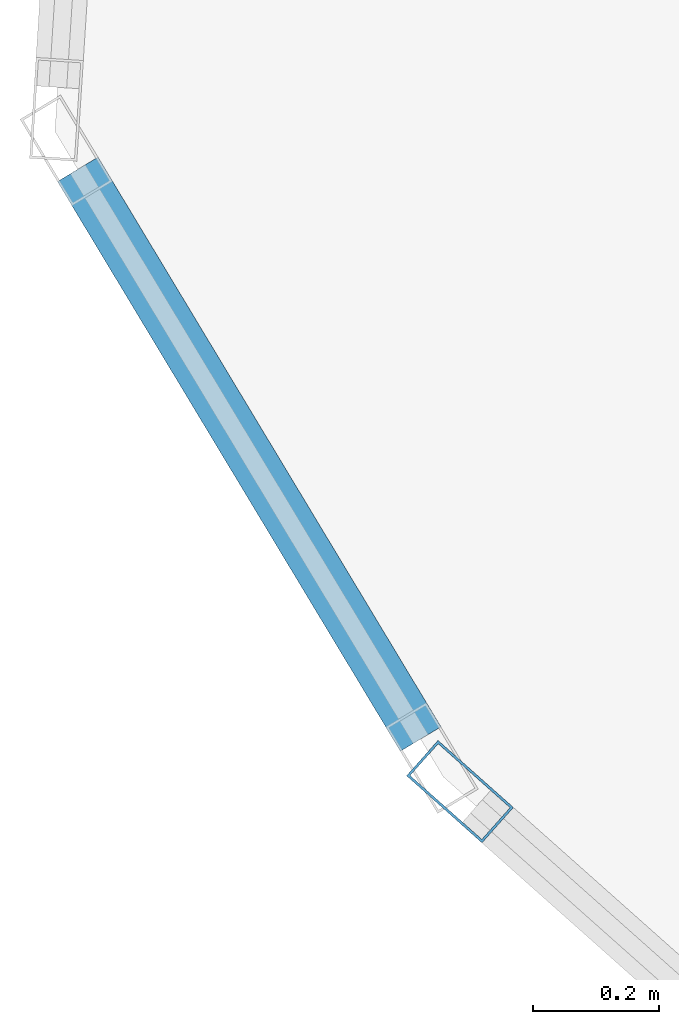
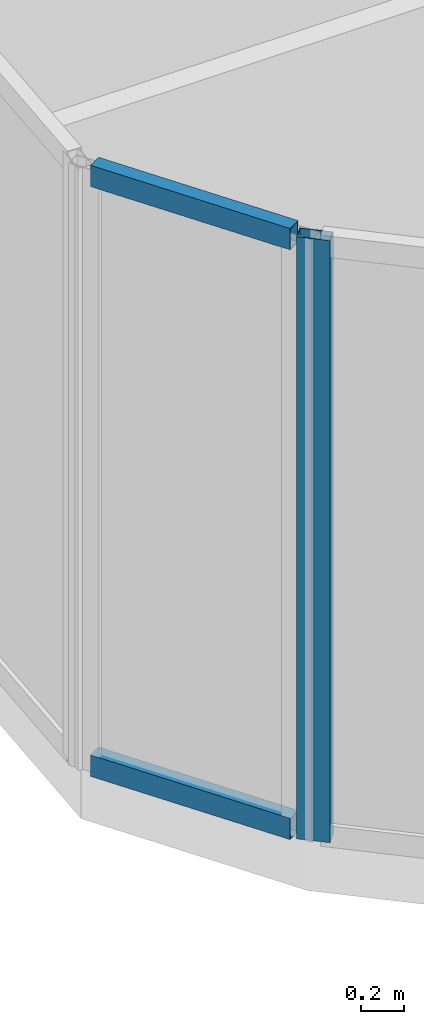
# One storey, part 4 of 30: 3 members, 2 elements without a shape of their own.
"""IFC4 building model written with IfcOpenShell, lengths in metres."""

from ifc_helpers import new_model, si_unit, direction, frame, origin, origin_2d, place, context, subcontext, project, spatial, hollow_rectangle, extrude, material, layer, layer_set, material_profile, profile_set, type_object, element, aggregate, save


model = new_model("IFC4")

# Units and contexts
model_context = context("Model", 3, precision=1e-05, world=origin(), true_north=direction((0.0, 1.0)))
body_context = subcontext(model_context, "Body", "Model", "MODEL_VIEW")
ifc_project = project(units=[si_unit("LENGTHUNIT", "METRE"), si_unit("AREAUNIT", "SQUARE_METRE"), si_unit("VOLUMEUNIT", "CUBIC_METRE"), si_unit("PLANEANGLEUNIT", "RADIAN"), si_unit("MASSUNIT", "GRAM", prefix="KILO")], contexts=[model_context])

# Site, building, storey
site_placement = place(None, origin())
site = spatial("IfcSite", under=ifc_project, at=site_placement, CompositionType="ELEMENT")
building_placement = place(site_placement, origin())
building = spatial("IfcBuilding", under=site, at=building_placement, Name="Keshet Zoharim Tower", CompositionType="ELEMENT")
storey_placement = place(building_placement, frame((0.0, 0.0, 280.60009765625)))
storey = spatial("IfcBuildingStorey", under=building, at=storey_placement, Name="L70", CompositionType="ELEMENT", Elevation=280.60009765625)

# Curtain wall, member
ifc_material = material(Name="Aluminium 6063-T6", Category="aluminium")
ifc_layer = layer(ifc_material, 0.260009765625)
ifc_layer_set = layer_set([ifc_layer], Name="Aluminium 6063-T6")
curtain_wall_type = type_object("IfcCurtainWallType", Name="CW-SYS-06", PredefinedType="NOTDEFINED", material=ifc_layer_set)
curtain_wall_1_placement = place(storey_placement, origin())
curtain_wall_1 = element("IfcCurtainWall", 1, at=curtain_wall_1_placement, inside=storey, type_object=curtain_wall_type, Name="L70 Unitised Curtain Wall 16 Part 4", PredefinedType="NOTDEFINED")
ifc_material_profile_1 = material_profile(ifc_material, hollow_rectangle(XDim=0.074951171875, YDim=0.159912109375, WallThickness=0.00390625, at=origin_2d()), Name="MUL-75x160")
ifc_profile_set_1 = profile_set([ifc_material_profile_1], Name="Aluminium 6063-T6")
member_type_1 = type_object("IfcMemberType", Name="CWM-M15", PredefinedType="MULLION", material=ifc_profile_set_1)
member_1_placement = place(storey_placement, frame((4.061279296875, 21.7568359375, 0.0), z_axis=(0.0, 0.0, 1.0), x_axis=(-0.664363838836, -0.747409318679, 0.0)))
member_1 = element("IfcMember", 2, at=member_1_placement, type_object=member_type_1, Name="CW-06 mullion 2", PredefinedType="MULLION", context=body_context, shape_type="SweptSolid", body=[
    extrude(hollow_rectangle(XDim=0.074951171875, YDim=0.159912109375, WallThickness=0.00390625, at=origin_2d()), origin(), (0.0, 0.0, 1.0), 3.389892578125),
])
aggregate(curtain_wall_1, [member_1])

# Curtain wall, members
curtain_wall_2_placement = place(storey_placement, origin())
curtain_wall_2 = element("IfcCurtainWall", 3, at=curtain_wall_2_placement, inside=storey, type_object=curtain_wall_type, Name="L70 Unitised Curtain Wall 01", PredefinedType="NOTDEFINED")
ifc_material_profile_2 = material_profile(ifc_material, hollow_rectangle(XDim=0.074951171875, YDim=0.1201171875, WallThickness=0.00390625, at=origin_2d()), Name="TRN-75x120")
ifc_profile_set_2 = profile_set([ifc_material_profile_2], Name="Aluminium 6063-T6")
member_type_2 = type_object("IfcMemberType", Name="CWT-T12", PredefinedType="USERDEFINED", material=ifc_profile_set_2)
member_2_placement = place(storey_placement, frame((3.9990234375, 21.840087890625, 0.034912109375), z_axis=(-0.515791194107, 0.856714330499, 0.0), x_axis=(-0.856714330499, -0.515791194107, 0.0)))
member_2 = element("IfcMember", 4, at=member_2_placement, type_object=member_type_2, Name="CW-06 transom 1.1", ObjectType="TRANSOM", PredefinedType="USERDEFINED", context=body_context, shape_type="SweptSolid", body=[
    extrude(hollow_rectangle(XDim=0.074951171875, YDim=0.1201171875, WallThickness=0.00390625, at=origin_2d()), origin(), (0.0, 0.0, 1.0), 1.052734375),
])
member_3_placement = place(storey_placement, frame((3.9990234375, 21.840087890625, 3.35498046875), z_axis=(-0.515791194107, 0.856714330499, 0.0), x_axis=(-0.856714330499, -0.515791194107, 0.0)))
member_3 = element("IfcMember", 5, at=member_3_placement, type_object=member_type_2, Name="CW-06 transom 1.2", ObjectType="TRANSOM", PredefinedType="USERDEFINED", context=body_context, shape_type="SweptSolid", body=[
    extrude(hollow_rectangle(XDim=0.074951171875, YDim=0.1201171875, WallThickness=0.00390625, at=origin_2d()), origin(), (0.0, 0.0, 1.0), 1.052734375),
])
aggregate(curtain_wall_2, [member_2, member_3])

save(model, "model.ifc")
